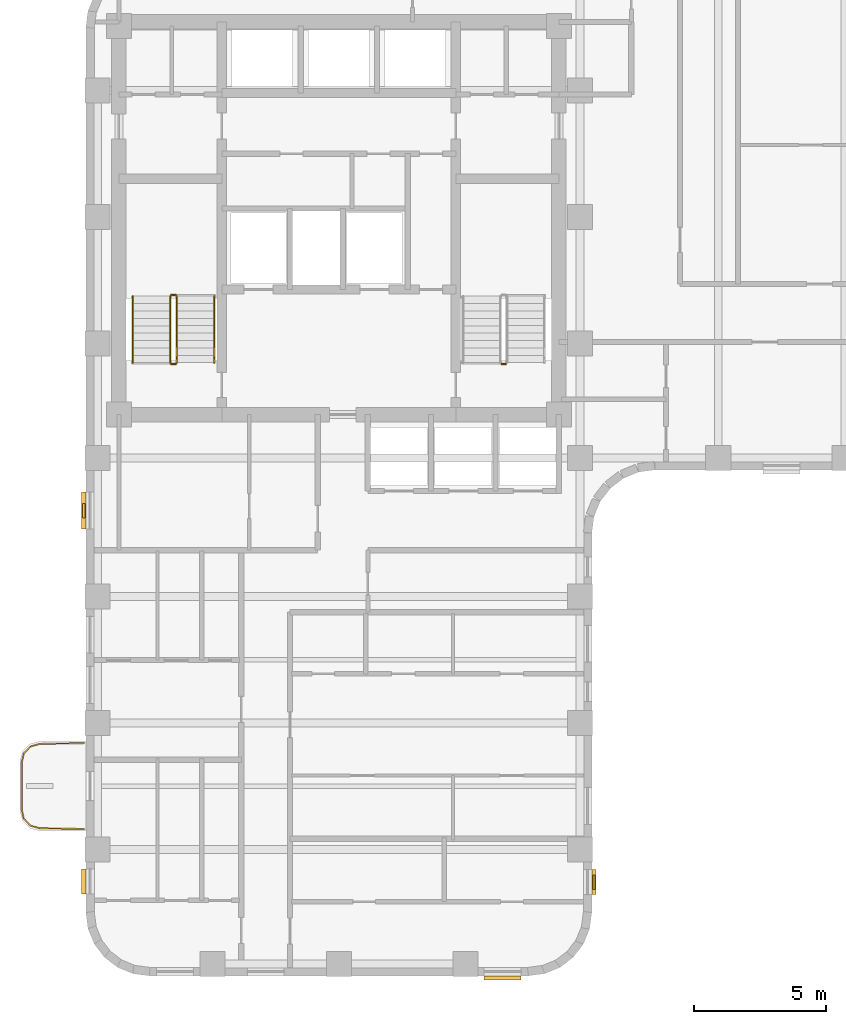
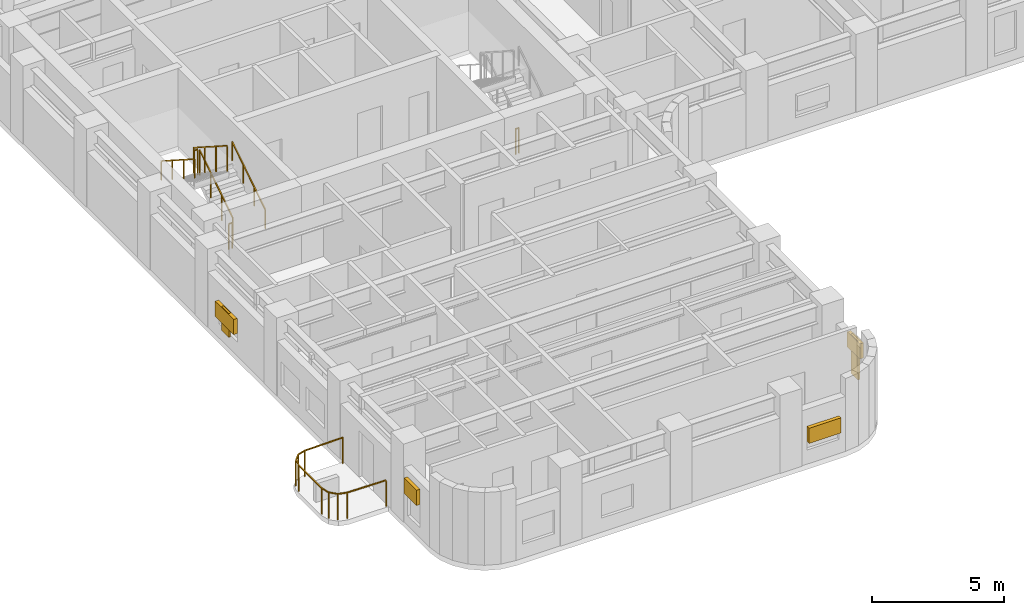
# One storey, part 8 of 10: 8 railings, 6 shading devices.
"""IFC4 building model written with IfcOpenShell, lengths in metres."""

from ifc_helpers import new_model, si_unit, direction, frame, origin, origin_2d, place, context, subcontext, project, spatial, rectangle, extrude, material, type_object, element, save


model = new_model("IFC4")

# Units and contexts
model_context = context("Model", 3, precision=1e-05, world=origin(), true_north=direction((0.0, 1.0)))
body_context = subcontext(model_context, "Body", "Model", "MODEL_VIEW")
ifc_project = project(units=[si_unit("LENGTHUNIT", "METRE"), si_unit("AREAUNIT", "SQUARE_METRE"), si_unit("VOLUMEUNIT", "CUBIC_METRE"), si_unit("PLANEANGLEUNIT", "RADIAN"), si_unit("MASSUNIT", "GRAM", prefix="KILO")], contexts=[model_context])

# Site, building, storey
site_placement = place(None, origin())
site = spatial("IfcSite", under=ifc_project, at=site_placement, CompositionType="ELEMENT")
building_placement = place(site_placement, origin())
building = spatial("IfcBuilding", under=site, at=building_placement, Name="Orvandelia Arch Residences", CompositionType="ELEMENT")
storey_placement = place(building_placement, frame((0.0, 0.0, 121.60009765625)))
storey = spatial("IfcBuildingStorey", under=building, at=storey_placement, Name="L31", CompositionType="ELEMENT", Elevation=121.60009765625)

# Railings
ifc_material_1 = material(Name="Marine-Grade Stainless Steel 316", Category="steel")
railing_type_1 = type_object("IfcRailingType", Name="GRD-BAL-1200", PredefinedType="BALUSTRADE", material=ifc_material_1)
railing_1_placement = place(storey_placement, frame((4.728271484375, 18.430419921875, 0.0)))
element("IfcRailing", 1, at=railing_1_placement, inside=storey, type_object=railing_type_1, Name="Safety Balustrade Guard GRD-L31-BAL-L31-W1-1", PredefinedType="BALUSTRADE", context=body_context, shape_type="SweptSolid", body=[
    extrude(rectangle(XDim=0.048095703125, YDim=0.048095703125, at=origin_2d()), frame((0.0, 0.0, 1.19580078125), z_axis=(-0.999834751713, -0.018178813668, 0.0), x_axis=(0.018178813668, -0.999834751713, 0.0)), (0.0, 0.0, 1.0), 1.6787109375),
    extrude(rectangle(XDim=0.048095703125, YDim=0.048095703125, at=origin_2d()), frame((-1.678466796875, -0.030517578125, 1.19580078125), z_axis=(-0.96348920644, -0.267747173792, 0.0), x_axis=(0.267747173792, -0.96348920644, 0.0)), (0.0, 0.0, 1.0), 0.36572265625),
    extrude(rectangle(XDim=0.048095703125, YDim=0.048095703125, at=origin_2d()), frame((-2.03076171875, -0.12841796875, 1.19580078125), z_axis=(-0.688627404251, -0.725115368831, 0.0), x_axis=(0.725115368831, -0.688627404251, 0.0)), (0.0, 0.0, 1.0), 0.367919921875),
    extrude(rectangle(XDim=0.048095703125, YDim=0.048095703125, at=origin_2d()), frame((-2.2841796875, -0.395263671875, 1.19580078125), z_axis=(-0.220602419982, -0.975363815352, 0.0), x_axis=(0.975363815352, -0.220602419982, 0.0)), (0.0, 0.0, 1.0), 0.373046875),
    extrude(rectangle(XDim=0.048095703125, YDim=0.048095703125, at=origin_2d()), frame((-2.366455078125, -0.759033203125, 1.19580078125), z_axis=(0.0, -1.0, 0.0), x_axis=(1.0, 0.0, 0.0)), (0.0, 0.0, 1.0), 1.74267578125),
    extrude(rectangle(XDim=0.048095703125, YDim=0.048095703125, at=origin_2d()), frame((-2.366455078125, -2.501708984375, 1.19580078125), z_axis=(0.220602419982, -0.975363815352, 0.0), x_axis=(0.975363815352, 0.220602419982, 0.0)), (0.0, 0.0, 1.0), 0.373046875),
    extrude(rectangle(XDim=0.048095703125, YDim=0.048095703125, at=origin_2d()), frame((-2.2841796875, -2.865478515625, 1.19580078125), z_axis=(0.688296224633, -0.725429739642, 0.0), x_axis=(0.725429739642, 0.688296224633, 0.0)), (0.0, 0.0, 1.0), 0.3681640625),
    extrude(rectangle(XDim=0.048095703125, YDim=0.048095703125, at=origin_2d()), frame((-2.03076171875, -3.132568359375, 1.19580078125), z_axis=(0.96348920644, -0.267747173792, 0.0), x_axis=(0.267747173792, 0.96348920644, 0.0)), (0.0, 0.0, 1.0), 0.36572265625),
    extrude(rectangle(XDim=0.048095703125, YDim=0.048095703125, at=origin_2d()), frame((-1.678466796875, -3.23046875, 1.19580078125), z_axis=(0.999837384468, -0.018033430643, 0.0), x_axis=(0.018033430643, 0.999837384468, 0.0)), (0.0, 0.0, 1.0), 1.6787109375),
    extrude(rectangle(XDim=0.0419921875, YDim=0.0419921875, at=origin_2d()), origin(), (0.0, 0.0, 1.0), 1.171875),
    extrude(rectangle(XDim=0.0419921875, YDim=0.0419921875, at=origin_2d()), frame((-1.678466796875, -0.030517578125, 0.0)), (0.0, 0.0, 1.0), 1.171875),
    extrude(rectangle(XDim=0.0419921875, YDim=0.0419921875, at=origin_2d()), frame((-2.03076171875, -0.12841796875, 0.0)), (0.0, 0.0, 1.0), 1.171875),
    extrude(rectangle(XDim=0.0419921875, YDim=0.0419921875, at=origin_2d()), frame((-2.2841796875, -0.395263671875, 0.0)), (0.0, 0.0, 1.0), 1.171875),
    extrude(rectangle(XDim=0.0419921875, YDim=0.0419921875, at=origin_2d()), frame((-2.366455078125, -0.759033203125, 0.0)), (0.0, 0.0, 1.0), 1.171875),
    extrude(rectangle(XDim=0.0419921875, YDim=0.0419921875, at=origin_2d()), frame((-2.366455078125, -2.501708984375, 0.0)), (0.0, 0.0, 1.0), 1.171875),
    extrude(rectangle(XDim=0.0419921875, YDim=0.0419921875, at=origin_2d()), frame((-2.2841796875, -2.865478515625, 0.0)), (0.0, 0.0, 1.0), 1.171875),
    extrude(rectangle(XDim=0.0419921875, YDim=0.0419921875, at=origin_2d()), frame((-2.03076171875, -3.132568359375, 0.0)), (0.0, 0.0, 1.0), 1.171875),
    extrude(rectangle(XDim=0.0419921875, YDim=0.0419921875, at=origin_2d()), frame((-1.678466796875, -3.23046875, 0.0)), (0.0, 0.0, 1.0), 1.171875),
    extrude(rectangle(XDim=0.0419921875, YDim=0.0419921875, at=origin_2d()), frame((0.0, -3.2607421875, 0.0)), (0.0, 0.0, 1.0), 1.171875),
])
ifc_material_2 = material(Name="Brushed Stainless Steel 304", Category="steel")
railing_type_2 = type_object("IfcRailingType", Name="RL-STAIR-GD1120", PredefinedType="GUARDRAIL", material=ifc_material_2)
railing_2_placement = place(storey_placement, frame((8.25, 32.8701171875, 0.179931640625)))
element("IfcRailing", 2, at=railing_2_placement, inside=storey, type_object=railing_type_2, Name="L31 ST-1 stair guard 1", PredefinedType="GUARDRAIL", context=body_context, shape_type="SweptSolid", body=[
    extrude(rectangle(XDim=0.048095703125, YDim=0.048095703125, at=origin_2d()), frame((0.0, 0.0, 1.17578125), z_axis=(0.0, 0.841175827307, 0.540761710511), x_axis=(-1.0, 0.0, 0.0)), (0.0, 0.0, 1.0), 2.99560546875),
    extrude(rectangle(XDim=0.0419921875, YDim=0.0419921875, at=origin_2d()), origin(), (0.0, 0.0, 1.0), 1.15185546875),
    extrude(rectangle(XDim=0.0419921875, YDim=0.0419921875, at=origin_2d()), frame((0.0, 0.83984375, 0.5400390625)), (0.0, 0.0, 1.0), 1.15185546875),
    extrude(rectangle(XDim=0.0419921875, YDim=0.0419921875, at=origin_2d()), frame((0.0, 1.679931640625, 1.079833984375)), (0.0, 0.0, 1.0), 1.15185546875),
    extrude(rectangle(XDim=0.0419921875, YDim=0.0419921875, at=origin_2d()), frame((0.0, 2.519775390625, 1.619873046875)), (0.0, 0.0, 1.0), 1.15185546875),
])
railing_3_placement = place(storey_placement, frame((8.199951171875, 35.43994140625, 1.7998046875)))
element("IfcRailing", 3, at=railing_3_placement, inside=storey, type_object=railing_type_2, Name="L31 ST-1 stair guard 2", PredefinedType="GUARDRAIL", context=body_context, shape_type="SweptSolid", body=[
    extrude(rectangle(XDim=0.048095703125, YDim=0.048095703125, at=origin_2d()), frame((0.0, 0.0, 1.17578125), z_axis=(-1.0, 0.0, 0.0), x_axis=(0.0, -1.0, 0.0)), (0.0, 0.0, 1.0), 0.14990234375),
    extrude(rectangle(XDim=0.0419921875, YDim=0.0419921875, at=origin_2d()), origin(), (0.0, 0.0, 1.0), 1.15185546875),
    extrude(rectangle(XDim=0.0419921875, YDim=0.0419921875, at=origin_2d()), frame((-0.14990234375, 0.0, 0.0)), (0.0, 0.0, 1.0), 1.15185546875),
])
railing_4_placement = place(storey_placement, frame((8.0, 35.389892578125, 1.97998046875)))
element("IfcRailing", 4, at=railing_4_placement, inside=storey, type_object=railing_type_2, Name="L31 ST-1 stair guard 3", PredefinedType="GUARDRAIL", context=body_context, shape_type="SweptSolid", body=[
    extrude(rectangle(XDim=0.048095703125, YDim=0.048095703125, at=origin_2d()), frame((0.0, 0.0, 1.17578125), z_axis=(0.0, -0.841175827307, 0.540761710511), x_axis=(1.0, 0.0, 0.0)), (0.0, 0.0, 1.0), 2.99560546875),
    extrude(rectangle(XDim=0.0419921875, YDim=0.0419921875, at=origin_2d()), origin(), (0.0, 0.0, 1.0), 1.15185546875),
    extrude(rectangle(XDim=0.0419921875, YDim=0.0419921875, at=origin_2d()), frame((0.0, -0.83984375, 0.5400390625)), (0.0, 0.0, 1.0), 1.15185546875),
    extrude(rectangle(XDim=0.0419921875, YDim=0.0419921875, at=origin_2d()), frame((0.0, -1.679931640625, 1.079833984375)), (0.0, 0.0, 1.0), 1.15185546875),
    extrude(rectangle(XDim=0.0419921875, YDim=0.0419921875, at=origin_2d()), frame((0.0, -2.519775390625, 1.619873046875)), (0.0, 0.0, 1.0), 1.15185546875),
])
for number, where, name in (
    (5, (8.199951171875, 32.820068359375, 0.0), "L31 ST-1 stair guard 4"),
    (6, (20.72998046875, 32.820068359375, 0.0), "L31 ST-2 stair guard 4"),
):
    element("IfcRailing", number, at=place(storey_placement, frame(where)), inside=storey, type_object=railing_type_2, Name=name, PredefinedType="GUARDRAIL", context=body_context, shape_type="SweptSolid", body=[
        extrude(rectangle(XDim=0.048095703125, YDim=0.048095703125, at=origin_2d()), frame((0.0, 0.0, 1.17578125), z_axis=(-1.0, 0.0, 0.0), x_axis=(0.0, -1.0, 0.0)), (0.0, 0.0, 1.0), 0.14990234375),
        extrude(rectangle(XDim=0.0419921875, YDim=0.0419921875, at=origin_2d()), origin(), (0.0, 0.0, 1.0), 1.15185546875),
        extrude(rectangle(XDim=0.0419921875, YDim=0.0419921875, at=origin_2d()), frame((-0.14990234375, 0.0, 0.0)), (0.0, 0.0, 1.0), 1.15185546875),
    ])
railing_type_3 = type_object("IfcRailingType", Name="RL-STAIR-HR920", PredefinedType="HANDRAIL", material=ifc_material_2)
railing_5_placement = place(storey_placement, frame((9.669921875, 32.8701171875, 0.35986328125)))
element("IfcRailing", 7, at=railing_5_placement, inside=storey, type_object=railing_type_3, Name="L31 ST-1 stair handrail 1", PredefinedType="HANDRAIL", context=body_context, shape_type="SweptSolid", body=[
    extrude(rectangle(XDim=0.048095703125, YDim=0.048095703125, at=origin_2d()), frame((0.0, 0.0, 0.8759765625), z_axis=(0.0, 0.841138753965, 0.540819375188), x_axis=(-1.0, 0.0, 0.0)), (0.0, 0.0, 1.0), 2.99560546875),
    extrude(rectangle(XDim=0.0419921875, YDim=0.0419921875, at=origin_2d()), origin(), (0.0, 0.0, 1.0), 0.851806640625),
    extrude(rectangle(XDim=0.0419921875, YDim=0.0419921875, at=origin_2d()), frame((0.0, 0.83984375, 0.5400390625)), (0.0, 0.0, 1.0), 0.851806640625),
    extrude(rectangle(XDim=0.0419921875, YDim=0.0419921875, at=origin_2d()), frame((0.0, 1.679931640625, 1.080078125)), (0.0, 0.0, 1.0), 0.851806640625),
    extrude(rectangle(XDim=0.0419921875, YDim=0.0419921875, at=origin_2d()), frame((0.0, 2.519775390625, 1.6201171875)), (0.0, 0.0, 1.0), 0.851806640625),
])
railing_6_placement = place(storey_placement, frame((6.580078125, 35.389892578125, 2.159912109375)))
element("IfcRailing", 8, at=railing_6_placement, inside=storey, type_object=railing_type_3, Name="L31 ST-1 stair handrail 2", PredefinedType="HANDRAIL", context=body_context, shape_type="SweptSolid", body=[
    extrude(rectangle(XDim=0.048095703125, YDim=0.048095703125, at=origin_2d()), frame((0.0, 0.0, 0.8759765625), z_axis=(0.0, -0.841175827307, 0.540761710511), x_axis=(1.0, 0.0, 0.0)), (0.0, 0.0, 1.0), 2.99560546875),
    extrude(rectangle(XDim=0.0419921875, YDim=0.0419921875, at=origin_2d()), origin(), (0.0, 0.0, 1.0), 0.851806640625),
    extrude(rectangle(XDim=0.0419921875, YDim=0.0419921875, at=origin_2d()), frame((0.0, -0.83984375, 0.5400390625)), (0.0, 0.0, 1.0), 0.851806640625),
    extrude(rectangle(XDim=0.0419921875, YDim=0.0419921875, at=origin_2d()), frame((0.0, -1.679931640625, 1.079833984375)), (0.0, 0.0, 1.0), 0.851806640625),
    extrude(rectangle(XDim=0.0419921875, YDim=0.0419921875, at=origin_2d()), frame((0.0, -2.519775390625, 1.619873046875)), (0.0, 0.0, 1.0), 0.851806640625),
])

# Shading devices
ifc_material_3 = material(Name="Anodised Champagne-Bronze Extruded Aluminium", Category="aluminium")
shading_device_type_1 = type_object("IfcShadingDeviceType", Name="SHD-JALOUSIE-SCREEN", PredefinedType="JALOUSIE", material=ifc_material_3)
shading_device_1_placement = place(storey_placement, frame((24.080078125, 13.157470703125, 1.5498046875), z_axis=(0.0, 0.0, 1.0), x_axis=(0.0, -1.0, 0.0)))
element("IfcShadingDevice", 9, at=shading_device_1_placement, inside=storey, type_object=shading_device_type_1, Name="Bronze Jalousie Sun-Shade L31-006", PredefinedType="JALOUSIE", context=body_context, shape_type="SweptSolid", body=[
    extrude(rectangle(XDim=0.949951171875, YDim=0.159912109375, at=origin_2d()), origin(), (0.0, 0.0, 1.0), 0.699951171875),
])
shading_device_2_placement = place(storey_placement, frame((20.617431640625, 9.52001953125, 1.0498046875), z_axis=(0.0, 0.0, 1.0), x_axis=(-1.0, 0.0, 0.0)))
element("IfcShadingDevice", 10, at=shading_device_2_placement, inside=storey, type_object=shading_device_type_1, Name="Bronze Jalousie Sun-Shade L31-007", PredefinedType="JALOUSIE", context=body_context, shape_type="SweptSolid", body=[
    extrude(rectangle(XDim=1.39990234375, YDim=0.159912109375, at=origin_2d()), origin(), (0.0, 0.0, 1.0), 0.699951171875),
])
shading_device_3_placement = place(storey_placement, frame((4.719970703125, 13.18359375, 1.5498046875), z_axis=(0.0, 0.0, 1.0), x_axis=(0.0, 1.0, 0.0)))
element("IfcShadingDevice", 11, at=shading_device_3_placement, inside=storey, type_object=shading_device_type_1, Name="Bronze Jalousie Sun-Shade L31-008", PredefinedType="JALOUSIE", context=body_context, shape_type="SweptSolid", body=[
    extrude(rectangle(XDim=0.949951171875, YDim=0.159912109375, at=origin_2d()), origin(), (0.0, 0.0, 1.0), 0.699951171875),
])
shading_device_4_placement = place(storey_placement, frame((4.719970703125, 27.257568359375, 1.0498046875), z_axis=(0.0, 0.0, 1.0), x_axis=(0.0, 1.0, 0.0)))
element("IfcShadingDevice", 12, at=shading_device_4_placement, inside=storey, type_object=shading_device_type_1, Name="Bronze Jalousie Sun-Shade L31-009", PredefinedType="JALOUSIE", context=body_context, shape_type="SweptSolid", body=[
    extrude(rectangle(XDim=1.39990234375, YDim=0.159912109375, at=origin_2d()), origin(), (0.0, 0.0, 1.0), 0.699951171875),
])
ifc_material_4 = material(Name="Marine-Grade Perforated Aluminium Storm Shutter", Category="aluminium")
shading_device_type_2 = type_object("IfcShadingDeviceType", Name="SHD-STORM-SHUTTER", PredefinedType="SHUTTER", material=ifc_material_4)
shading_device_5_placement = place(storey_placement, frame((24.080078125, 13.157470703125, 0.44970703125), z_axis=(0.0, 0.0, 1.0), x_axis=(0.0, -1.0, 0.0)))
element("IfcShadingDevice", 13, at=shading_device_5_placement, inside=storey, type_object=shading_device_type_2, Name="Operable Typhoon Storm Shutter L31-006", PredefinedType="SHUTTER", context=body_context, shape_type="SweptSolid", body=[
    extrude(rectangle(XDim=0.550048828125, YDim=0.080078125, at=origin_2d()), origin(), (0.0, 0.0, 1.0), 1.800048828125),
])
shading_device_6_placement = place(storey_placement, frame((4.719970703125, 27.257568359375, 0.64990234375), z_axis=(0.0, 0.0, 1.0), x_axis=(0.0, 1.0, 0.0)))
element("IfcShadingDevice", 14, at=shading_device_6_placement, inside=storey, type_object=shading_device_type_2, Name="Operable Typhoon Storm Shutter L31-009", PredefinedType="SHUTTER", context=body_context, shape_type="SweptSolid", body=[
    extrude(rectangle(XDim=0.550048828125, YDim=0.080078125, at=origin_2d()), origin(), (0.0, 0.0, 1.0), 1.10009765625),
])

save(model, "model.ifc")
